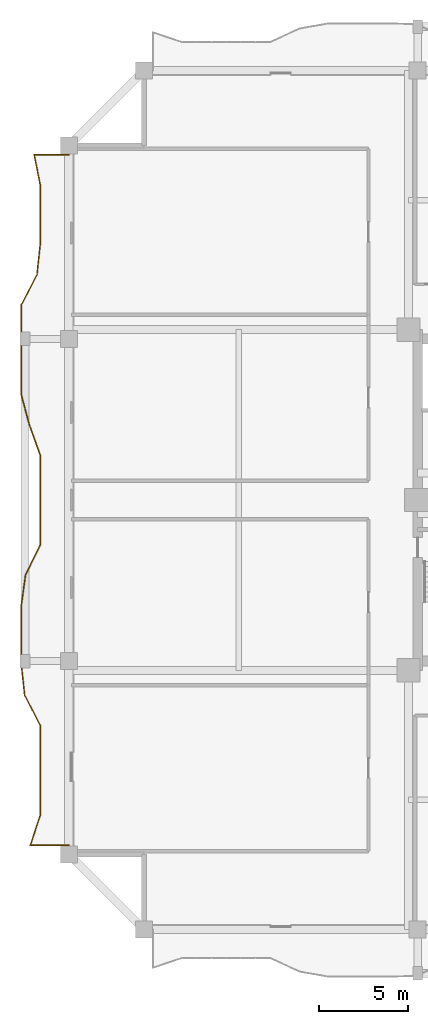
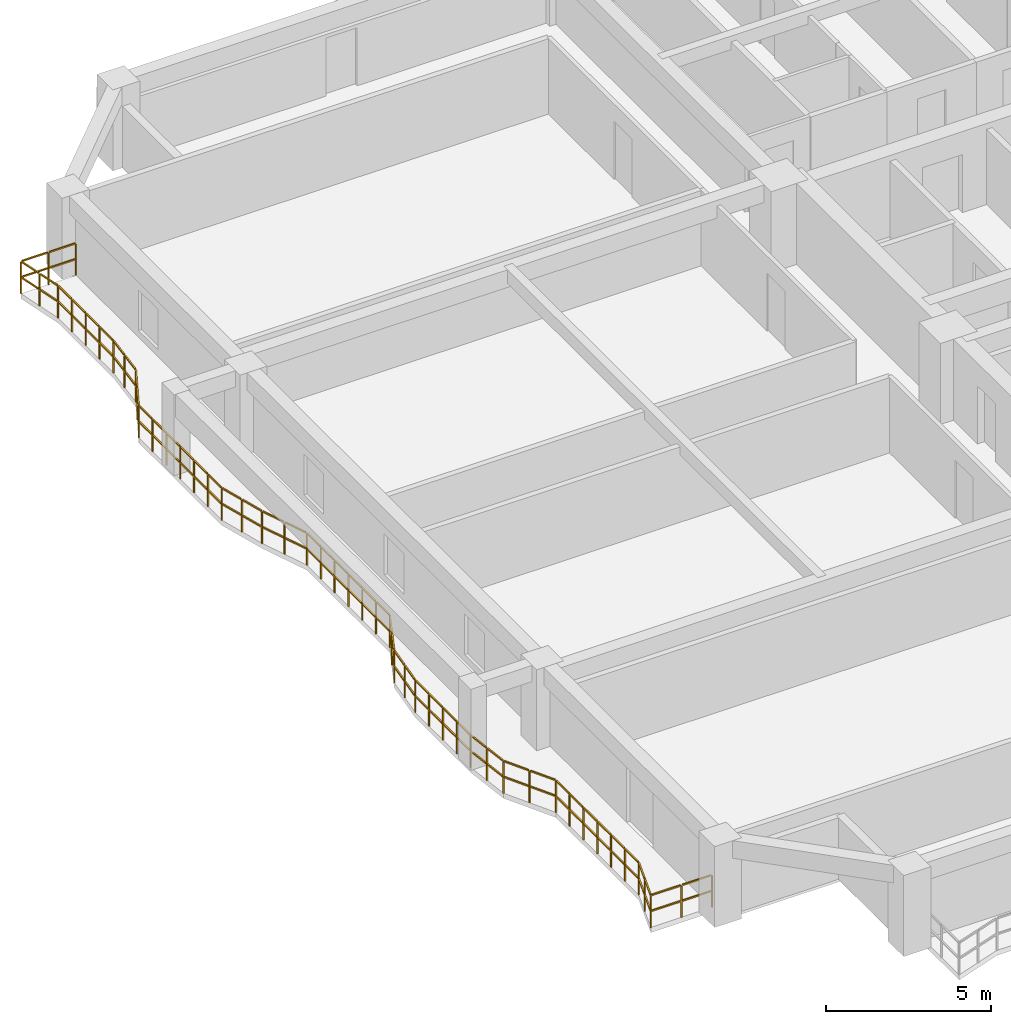
# One storey, part 9 of 12: 1 railing.
"""IFC4 building model written with IfcOpenShell, lengths in metres."""

from ifc_helpers import new_model, si_unit, direction, frame, origin, origin_2d, place, context, subcontext, project, spatial, rectangle, extrude, material, type_object, element, save


model = new_model("IFC4")

# Units and contexts
model_context = context("Model", 3, precision=1e-05, world=origin(), true_north=direction((0.0, 1.0)))
body_context = subcontext(model_context, "Body", "Model", "MODEL_VIEW")
ifc_project = project(units=[si_unit("LENGTHUNIT", "METRE"), si_unit("AREAUNIT", "SQUARE_METRE"), si_unit("VOLUMEUNIT", "CUBIC_METRE"), si_unit("PLANEANGLEUNIT", "RADIAN"), si_unit("MASSUNIT", "GRAM", prefix="KILO")], contexts=[model_context])

# Site, building, storey
site_placement = place(None, origin())
site = spatial("IfcSite", under=ifc_project, at=site_placement, CompositionType="ELEMENT")
building_placement = place(site_placement, origin())
building = spatial("IfcBuilding", under=site, at=building_placement, Name="Saelheon Loggia Tower", CompositionType="ELEMENT")
storey_placement = place(building_placement, frame((0.0, 0.0, 101.85009765625)))
storey = spatial("IfcBuildingStorey", under=building, at=storey_placement, Name="L32", CompositionType="ELEMENT", Elevation=101.85009765625)

# Railing
ifc_material = material(Name="Architectural Precast Concrete and Laminated Glass Guard", Category="concrete")
railing_type = type_object("IfcRailingType", Name="Guard_Loggia_RL_LOG", PredefinedType="BALUSTRADE", material=ifc_material)
railing_placement = place(storey_placement, frame((12.0, 46.300048828125, 0.0)))
element("IfcRailing", 1, at=railing_placement, inside=storey, type_object=railing_type, Name="L32 West Loggia Balustrade", PredefinedType="BALUSTRADE", context=body_context, shape_type="SweptSolid", body=[
    extrude(rectangle(XDim=0.048095703125, YDim=0.048095703125, at=origin_2d()), frame((-0.033203125, 0.0, 1.19580078125), z_axis=(-1.0, 0.0, 0.0), x_axis=(0.0, -1.0, 0.0)), (0.0, 0.0, 1.0), 0.900146484375),
    extrude(rectangle(XDim=0.048095703125, YDim=0.048095703125, at=origin_2d()), frame((-0.033203125, 0.0, 0.60986328125), z_axis=(-1.0, 0.0, 0.0), x_axis=(0.0, -1.0, 0.0)), (0.0, 0.0, 1.0), 0.900146484375),
    extrude(rectangle(XDim=0.048095703125, YDim=0.048095703125, at=origin_2d()), frame((-1.0, 0.0, 1.19580078125), z_axis=(-1.0, 0.0, 0.0), x_axis=(0.0, -1.0, 0.0)), (0.0, 0.0, 1.0), 0.900146484375),
    extrude(rectangle(XDim=0.048095703125, YDim=0.048095703125, at=origin_2d()), frame((-1.0, 0.0, 0.60986328125), z_axis=(-1.0, 0.0, 0.0), x_axis=(0.0, -1.0, 0.0)), (0.0, 0.0, 1.0), 0.900146484375),
    extrude(rectangle(XDim=0.048095703125, YDim=0.048095703125, at=origin_2d()), frame((-1.9267578125, -0.03271484375, 1.19580078125), z_axis=(0.194744119332, -0.980854080883, 0.0), x_axis=(0.980854080883, 0.194744119332, 0.0)), (0.0, 0.0, 1.0), 0.7890625),
    extrude(rectangle(XDim=0.048095703125, YDim=0.048095703125, at=origin_2d()), frame((-1.9267578125, -0.03271484375, 0.60986328125), z_axis=(0.194744119332, -0.980854080883, 0.0), x_axis=(0.980854080883, 0.194744119332, 0.0)), (0.0, 0.0, 1.0), 0.7890625),
    extrude(rectangle(XDim=0.048095703125, YDim=0.048095703125, at=origin_2d()), frame((-1.76025390625, -0.871826171875, 1.19580078125), z_axis=(0.194744119332, -0.980854080883, 0.0), x_axis=(0.980854080883, 0.194744119332, 0.0)), (0.0, 0.0, 1.0), 0.7890625),
    extrude(rectangle(XDim=0.048095703125, YDim=0.048095703125, at=origin_2d()), frame((-1.76025390625, -0.871826171875, 0.60986328125), z_axis=(0.194744119332, -0.980854080883, 0.0), x_axis=(0.980854080883, 0.194744119332, 0.0)), (0.0, 0.0, 1.0), 0.7890625),
    extrude(rectangle(XDim=0.048095703125, YDim=0.048095703125, at=origin_2d()), frame((-1.60009765625, -1.711669921875, 1.19580078125), z_axis=(0.0, -1.0, 0.0), x_axis=(1.0, 0.0, 0.0)), (0.0, 0.0, 1.0), 0.7724609375),
    extrude(rectangle(XDim=0.048095703125, YDim=0.048095703125, at=origin_2d()), frame((-1.60009765625, -1.711669921875, 0.60986328125), z_axis=(0.0, -1.0, 0.0), x_axis=(1.0, 0.0, 0.0)), (0.0, 0.0, 1.0), 0.7724609375),
    extrude(rectangle(XDim=0.048095703125, YDim=0.048095703125, at=origin_2d()), frame((-1.60009765625, -2.55078125, 1.19580078125), z_axis=(0.0, -1.0, 0.0), x_axis=(1.0, 0.0, 0.0)), (0.0, 0.0, 1.0), 0.7724609375),
    extrude(rectangle(XDim=0.048095703125, YDim=0.048095703125, at=origin_2d()), frame((-1.60009765625, -2.55078125, 0.60986328125), z_axis=(0.0, -1.0, 0.0), x_axis=(1.0, 0.0, 0.0)), (0.0, 0.0, 1.0), 0.7724609375),
    extrude(rectangle(XDim=0.048095703125, YDim=0.048095703125, at=origin_2d()), frame((-1.60009765625, -3.3896484375, 1.19580078125), z_axis=(0.0, -1.0, 0.0), x_axis=(1.0, 0.0, 0.0)), (0.0, 0.0, 1.0), 0.772705078125),
    extrude(rectangle(XDim=0.048095703125, YDim=0.048095703125, at=origin_2d()), frame((-1.60009765625, -3.3896484375, 0.60986328125), z_axis=(0.0, -1.0, 0.0), x_axis=(1.0, 0.0, 0.0)), (0.0, 0.0, 1.0), 0.772705078125),
    extrude(rectangle(XDim=0.048095703125, YDim=0.048095703125, at=origin_2d()), frame((-1.60009765625, -4.22900390625, 1.19580078125), z_axis=(0.0, -1.0, 0.0), x_axis=(1.0, 0.0, 0.0)), (0.0, 0.0, 1.0), 0.772705078125),
    extrude(rectangle(XDim=0.048095703125, YDim=0.048095703125, at=origin_2d()), frame((-1.60009765625, -4.22900390625, 0.60986328125), z_axis=(0.0, -1.0, 0.0), x_axis=(1.0, 0.0, 0.0)), (0.0, 0.0, 1.0), 0.772705078125),
    extrude(rectangle(XDim=0.048095703125, YDim=0.048095703125, at=origin_2d()), frame((-1.603759765625, -5.06787109375, 1.19580078125), z_axis=(-0.10731955736, -0.994224578558, 0.0), x_axis=(0.994224578558, -0.10731955736, 0.0)), (0.0, 0.0, 1.0), 0.777587890625),
    extrude(rectangle(XDim=0.048095703125, YDim=0.048095703125, at=origin_2d()), frame((-1.603759765625, -5.06787109375, 0.60986328125), z_axis=(-0.10731955736, -0.994224578558, 0.0), x_axis=(0.994224578558, -0.10731955736, 0.0)), (0.0, 0.0, 1.0), 0.777587890625),
    extrude(rectangle(XDim=0.048095703125, YDim=0.048095703125, at=origin_2d()), frame((-1.6943359375, -5.906982421875, 1.19580078125), z_axis=(-0.10731955736, -0.994224578558, 0.0), x_axis=(0.994224578558, -0.10731955736, 0.0)), (0.0, 0.0, 1.0), 0.777587890625),
    extrude(rectangle(XDim=0.048095703125, YDim=0.048095703125, at=origin_2d()), frame((-1.6943359375, -5.906982421875, 0.60986328125), z_axis=(-0.10731955736, -0.994224578558, 0.0), x_axis=(0.994224578558, -0.10731955736, 0.0)), (0.0, 0.0, 1.0), 0.777587890625),
    extrude(rectangle(XDim=0.048095703125, YDim=0.048095703125, at=origin_2d()), frame((-1.796630859375, -6.74267578125, 1.19580078125), z_axis=(-0.459675957683, -0.88808671532, 0.0), x_axis=(0.88808671532, -0.459675957683, 0.0)), (0.0, 0.0, 1.0), 0.87841796875),
    extrude(rectangle(XDim=0.048095703125, YDim=0.048095703125, at=origin_2d()), frame((-1.796630859375, -6.74267578125, 0.60986328125), z_axis=(-0.459675957683, -0.88808671532, 0.0), x_axis=(0.88808671532, -0.459675957683, 0.0)), (0.0, 0.0, 1.0), 0.87841796875),
    extrude(rectangle(XDim=0.048095703125, YDim=0.048095703125, at=origin_2d()), frame((-2.23095703125, -7.581787109375, 1.19580078125), z_axis=(-0.459675957683, -0.88808671532, 0.0), x_axis=(0.88808671532, -0.459675957683, 0.0)), (0.0, 0.0, 1.0), 0.87841796875),
    extrude(rectangle(XDim=0.048095703125, YDim=0.048095703125, at=origin_2d()), frame((-2.23095703125, -7.581787109375, 0.60986328125), z_axis=(-0.459675957683, -0.88808671532, 0.0), x_axis=(0.88808671532, -0.459675957683, 0.0)), (0.0, 0.0, 1.0), 0.87841796875),
    extrude(rectangle(XDim=0.048095703125, YDim=0.048095703125, at=origin_2d()), frame((-2.64990234375, -8.424560546875, 1.19580078125), z_axis=(0.0, -1.0, 0.0), x_axis=(1.0, 0.0, 0.0)), (0.0, 0.0, 1.0), 0.772705078125),
    extrude(rectangle(XDim=0.048095703125, YDim=0.048095703125, at=origin_2d()), frame((-2.64990234375, -8.424560546875, 0.60986328125), z_axis=(0.0, -1.0, 0.0), x_axis=(1.0, 0.0, 0.0)), (0.0, 0.0, 1.0), 0.772705078125),
    extrude(rectangle(XDim=0.048095703125, YDim=0.048095703125, at=origin_2d()), frame((-2.64990234375, -9.263671875, 1.19580078125), z_axis=(0.0, -1.0, 0.0), x_axis=(1.0, 0.0, 0.0)), (0.0, 0.0, 1.0), 0.772705078125),
    extrude(rectangle(XDim=0.048095703125, YDim=0.048095703125, at=origin_2d()), frame((-2.64990234375, -9.263671875, 0.60986328125), z_axis=(0.0, -1.0, 0.0), x_axis=(1.0, 0.0, 0.0)), (0.0, 0.0, 1.0), 0.772705078125),
    extrude(rectangle(XDim=0.048095703125, YDim=0.048095703125, at=origin_2d()), frame((-2.64990234375, -10.102783203125, 1.19580078125), z_axis=(0.0, -1.0, 0.0), x_axis=(1.0, 0.0, 0.0)), (0.0, 0.0, 1.0), 0.772705078125),
    extrude(rectangle(XDim=0.048095703125, YDim=0.048095703125, at=origin_2d()), frame((-2.64990234375, -10.102783203125, 0.60986328125), z_axis=(0.0, -1.0, 0.0), x_axis=(1.0, 0.0, 0.0)), (0.0, 0.0, 1.0), 0.772705078125),
    extrude(rectangle(XDim=0.048095703125, YDim=0.048095703125, at=origin_2d()), frame((-2.64990234375, -10.94189453125, 1.19580078125), z_axis=(0.0, -1.0, 0.0), x_axis=(1.0, 0.0, 0.0)), (0.0, 0.0, 1.0), 0.772705078125),
    extrude(rectangle(XDim=0.048095703125, YDim=0.048095703125, at=origin_2d()), frame((-2.64990234375, -10.94189453125, 0.60986328125), z_axis=(0.0, -1.0, 0.0), x_axis=(1.0, 0.0, 0.0)), (0.0, 0.0, 1.0), 0.772705078125),
    extrude(rectangle(XDim=0.048095703125, YDim=0.048095703125, at=origin_2d()), frame((-2.64990234375, -11.781005859375, 1.19580078125), z_axis=(0.0, -1.0, 0.0), x_axis=(1.0, 0.0, 0.0)), (0.0, 0.0, 1.0), 0.772705078125),
    extrude(rectangle(XDim=0.048095703125, YDim=0.048095703125, at=origin_2d()), frame((-2.64990234375, -11.781005859375, 0.60986328125), z_axis=(0.0, -1.0, 0.0), x_axis=(1.0, 0.0, 0.0)), (0.0, 0.0, 1.0), 0.772705078125),
    extrude(rectangle(XDim=0.048095703125, YDim=0.048095703125, at=origin_2d()), frame((-2.64990234375, -12.620361328125, 1.19580078125), z_axis=(0.0, -1.0, 0.0), x_axis=(1.0, 0.0, 0.0)), (0.0, 0.0, 1.0), 0.772705078125),
    extrude(rectangle(XDim=0.048095703125, YDim=0.048095703125, at=origin_2d()), frame((-2.64990234375, -12.620361328125, 0.60986328125), z_axis=(0.0, -1.0, 0.0), x_axis=(1.0, 0.0, 0.0)), (0.0, 0.0, 1.0), 0.772705078125),
    extrude(rectangle(XDim=0.048095703125, YDim=0.048095703125, at=origin_2d()), frame((-2.641357421875, -13.45849609375, 1.19580078125), z_axis=(0.257951367735, -0.966157902148, 0.0), x_axis=(0.966157902148, 0.257951367735, 0.0)), (0.0, 0.0, 1.0), 0.802001953125),
    extrude(rectangle(XDim=0.048095703125, YDim=0.048095703125, at=origin_2d()), frame((-2.641357421875, -13.45849609375, 0.60986328125), z_axis=(0.257951367735, -0.966157902148, 0.0), x_axis=(0.966157902148, 0.257951367735, 0.0)), (0.0, 0.0, 1.0), 0.802001953125),
    extrude(rectangle(XDim=0.048095703125, YDim=0.048095703125, at=origin_2d()), frame((-2.417236328125, -14.29736328125, 1.19580078125), z_axis=(0.257951367735, -0.966157902148, 0.0), x_axis=(0.966157902148, 0.257951367735, 0.0)), (0.0, 0.0, 1.0), 0.802001953125),
    extrude(rectangle(XDim=0.048095703125, YDim=0.048095703125, at=origin_2d()), frame((-2.417236328125, -14.29736328125, 0.60986328125), z_axis=(0.257951367735, -0.966157902148, 0.0), x_axis=(0.966157902148, 0.257951367735, 0.0)), (0.0, 0.0, 1.0), 0.802001953125),
    extrude(rectangle(XDim=0.048095703125, YDim=0.048095703125, at=origin_2d()), frame((-2.190673828125, -15.135498046875, 1.19580078125), z_axis=(0.337507079307, -0.941322989955, 0.0), x_axis=(0.941322989955, 0.337507079307, 0.0)), (0.0, 0.0, 1.0), 0.8251953125),
    extrude(rectangle(XDim=0.048095703125, YDim=0.048095703125, at=origin_2d()), frame((-2.190673828125, -15.135498046875, 0.60986328125), z_axis=(0.337507079307, -0.941322989955, 0.0), x_axis=(0.941322989955, 0.337507079307, 0.0)), (0.0, 0.0, 1.0), 0.8251953125),
    extrude(rectangle(XDim=0.048095703125, YDim=0.048095703125, at=origin_2d()), frame((-1.889892578125, -15.974853515625, 1.19580078125), z_axis=(0.337507079307, -0.941322989955, 0.0), x_axis=(0.941322989955, 0.337507079307, 0.0)), (0.0, 0.0, 1.0), 0.8251953125),
    extrude(rectangle(XDim=0.048095703125, YDim=0.048095703125, at=origin_2d()), frame((-1.889892578125, -15.974853515625, 0.60986328125), z_axis=(0.337507079307, -0.941322989955, 0.0), x_axis=(0.941322989955, 0.337507079307, 0.0)), (0.0, 0.0, 1.0), 0.8251953125),
    extrude(rectangle(XDim=0.048095703125, YDim=0.048095703125, at=origin_2d()), frame((-1.60009765625, -16.81591796875, 1.19580078125), z_axis=(0.0, -1.0, 0.0), x_axis=(1.0, 0.0, 0.0)), (0.0, 0.0, 1.0), 0.772705078125),
    extrude(rectangle(XDim=0.048095703125, YDim=0.048095703125, at=origin_2d()), frame((-1.60009765625, -16.81591796875, 0.60986328125), z_axis=(0.0, -1.0, 0.0), x_axis=(1.0, 0.0, 0.0)), (0.0, 0.0, 1.0), 0.772705078125),
    extrude(rectangle(XDim=0.048095703125, YDim=0.048095703125, at=origin_2d()), frame((-1.60009765625, -17.655029296875, 1.19580078125), z_axis=(0.0, -1.0, 0.0), x_axis=(1.0, 0.0, 0.0)), (0.0, 0.0, 1.0), 0.772705078125),
    extrude(rectangle(XDim=0.048095703125, YDim=0.048095703125, at=origin_2d()), frame((-1.60009765625, -17.655029296875, 0.60986328125), z_axis=(0.0, -1.0, 0.0), x_axis=(1.0, 0.0, 0.0)), (0.0, 0.0, 1.0), 0.772705078125),
    extrude(rectangle(XDim=0.048095703125, YDim=0.048095703125, at=origin_2d()), frame((-1.60009765625, -18.494140625, 1.19580078125), z_axis=(0.0, -1.0, 0.0), x_axis=(1.0, 0.0, 0.0)), (0.0, 0.0, 1.0), 0.772705078125),
    extrude(rectangle(XDim=0.048095703125, YDim=0.048095703125, at=origin_2d()), frame((-1.60009765625, -18.494140625, 0.60986328125), z_axis=(0.0, -1.0, 0.0), x_axis=(1.0, 0.0, 0.0)), (0.0, 0.0, 1.0), 0.772705078125),
    extrude(rectangle(XDim=0.048095703125, YDim=0.048095703125, at=origin_2d()), frame((-1.60009765625, -19.333251953125, 1.19580078125), z_axis=(0.0, -1.0, 0.0), x_axis=(1.0, 0.0, 0.0)), (0.0, 0.0, 1.0), 0.772705078125),
    extrude(rectangle(XDim=0.048095703125, YDim=0.048095703125, at=origin_2d()), frame((-1.60009765625, -19.333251953125, 0.60986328125), z_axis=(0.0, -1.0, 0.0), x_axis=(1.0, 0.0, 0.0)), (0.0, 0.0, 1.0), 0.772705078125),
    extrude(rectangle(XDim=0.048095703125, YDim=0.048095703125, at=origin_2d()), frame((-1.60009765625, -20.17236328125, 1.19580078125), z_axis=(0.0, -1.0, 0.0), x_axis=(1.0, 0.0, 0.0)), (0.0, 0.0, 1.0), 0.772705078125),
    extrude(rectangle(XDim=0.048095703125, YDim=0.048095703125, at=origin_2d()), frame((-1.60009765625, -20.17236328125, 0.60986328125), z_axis=(0.0, -1.0, 0.0), x_axis=(1.0, 0.0, 0.0)), (0.0, 0.0, 1.0), 0.772705078125),
    extrude(rectangle(XDim=0.048095703125, YDim=0.048095703125, at=origin_2d()), frame((-1.60009765625, -21.011474609375, 1.19580078125), z_axis=(0.0, -1.0, 0.0), x_axis=(1.0, 0.0, 0.0)), (0.0, 0.0, 1.0), 0.772705078125),
    extrude(rectangle(XDim=0.048095703125, YDim=0.048095703125, at=origin_2d()), frame((-1.60009765625, -21.011474609375, 0.60986328125), z_axis=(0.0, -1.0, 0.0), x_axis=(1.0, 0.0, 0.0)), (0.0, 0.0, 1.0), 0.772705078125),
    extrude(rectangle(XDim=0.048095703125, YDim=0.048095703125, at=origin_2d()), frame((-1.61474609375, -21.84716796875, 1.19580078125), z_axis=(-0.437931485797, -0.89900835021, 0.0), x_axis=(0.89900835021, -0.437931485797, 0.0)), (0.0, 0.0, 1.0), 0.866943359375),
    extrude(rectangle(XDim=0.048095703125, YDim=0.048095703125, at=origin_2d()), frame((-1.61474609375, -21.84716796875, 0.60986328125), z_axis=(-0.437931485797, -0.89900835021, 0.0), x_axis=(0.89900835021, -0.437931485797, 0.0)), (0.0, 0.0, 1.0), 0.866943359375),
    extrude(rectangle(XDim=0.048095703125, YDim=0.048095703125, at=origin_2d()), frame((-2.0234375, -22.6865234375, 1.19580078125), z_axis=(-0.437931485797, -0.89900835021, 0.0), x_axis=(0.89900835021, -0.437931485797, 0.0)), (0.0, 0.0, 1.0), 0.866943359375),
    extrude(rectangle(XDim=0.048095703125, YDim=0.048095703125, at=origin_2d()), frame((-2.0234375, -22.6865234375, 0.60986328125), z_axis=(-0.437931485797, -0.89900835021, 0.0), x_axis=(0.89900835021, -0.437931485797, 0.0)), (0.0, 0.0, 1.0), 0.866943359375),
    extrude(rectangle(XDim=0.048095703125, YDim=0.048095703125, at=origin_2d()), frame((-2.42236328125, -23.52880859375, 1.19580078125), z_axis=(-0.13706168357, -0.990562514381, 0.0), x_axis=(0.990562514381, -0.13706168357, 0.0)), (0.0, 0.0, 1.0), 0.780517578125),
    extrude(rectangle(XDim=0.048095703125, YDim=0.048095703125, at=origin_2d()), frame((-2.42236328125, -23.52880859375, 0.60986328125), z_axis=(-0.13706168357, -0.990562514381, 0.0), x_axis=(0.990562514381, -0.13706168357, 0.0)), (0.0, 0.0, 1.0), 0.780517578125),
    extrude(rectangle(XDim=0.048095703125, YDim=0.048095703125, at=origin_2d()), frame((-2.538330078125, -24.36767578125, 1.19580078125), z_axis=(-0.13706168357, -0.990562514381, 0.0), x_axis=(0.990562514381, -0.13706168357, 0.0)), (0.0, 0.0, 1.0), 0.780517578125),
    extrude(rectangle(XDim=0.048095703125, YDim=0.048095703125, at=origin_2d()), frame((-2.538330078125, -24.36767578125, 0.60986328125), z_axis=(-0.13706168357, -0.990562514381, 0.0), x_axis=(0.990562514381, -0.13706168357, 0.0)), (0.0, 0.0, 1.0), 0.780517578125),
    extrude(rectangle(XDim=0.048095703125, YDim=0.048095703125, at=origin_2d()), frame((-2.64990234375, -25.20703125, 1.19580078125), z_axis=(0.0, -1.0, 0.0), x_axis=(1.0, 0.0, 0.0)), (0.0, 0.0, 1.0), 0.772705078125),
    extrude(rectangle(XDim=0.048095703125, YDim=0.048095703125, at=origin_2d()), frame((-2.64990234375, -25.20703125, 0.60986328125), z_axis=(0.0, -1.0, 0.0), x_axis=(1.0, 0.0, 0.0)), (0.0, 0.0, 1.0), 0.772705078125),
    extrude(rectangle(XDim=0.048095703125, YDim=0.048095703125, at=origin_2d()), frame((-2.64990234375, -26.04638671875, 1.19580078125), z_axis=(0.0, -1.0, 0.0), x_axis=(1.0, 0.0, 0.0)), (0.0, 0.0, 1.0), 0.772705078125),
    extrude(rectangle(XDim=0.048095703125, YDim=0.048095703125, at=origin_2d()), frame((-2.64990234375, -26.04638671875, 0.60986328125), z_axis=(0.0, -1.0, 0.0), x_axis=(1.0, 0.0, 0.0)), (0.0, 0.0, 1.0), 0.772705078125),
    extrude(rectangle(XDim=0.048095703125, YDim=0.048095703125, at=origin_2d()), frame((-2.64990234375, -26.885498046875, 1.19580078125), z_axis=(0.0, -1.0, 0.0), x_axis=(1.0, 0.0, 0.0)), (0.0, 0.0, 1.0), 0.772705078125),
    extrude(rectangle(XDim=0.048095703125, YDim=0.048095703125, at=origin_2d()), frame((-2.64990234375, -26.885498046875, 0.60986328125), z_axis=(0.0, -1.0, 0.0), x_axis=(1.0, 0.0, 0.0)), (0.0, 0.0, 1.0), 0.772705078125),
    extrude(rectangle(XDim=0.048095703125, YDim=0.048095703125, at=origin_2d()), frame((-2.64990234375, -27.724609375, 1.19580078125), z_axis=(0.0, -1.0, 0.0), x_axis=(1.0, 0.0, 0.0)), (0.0, 0.0, 1.0), 0.772705078125),
    extrude(rectangle(XDim=0.048095703125, YDim=0.048095703125, at=origin_2d()), frame((-2.64990234375, -27.724609375, 0.60986328125), z_axis=(0.0, -1.0, 0.0), x_axis=(1.0, 0.0, 0.0)), (0.0, 0.0, 1.0), 0.772705078125),
    extrude(rectangle(XDim=0.048095703125, YDim=0.048095703125, at=origin_2d()), frame((-2.646240234375, -28.5634765625, 1.19580078125), z_axis=(0.107462523714, -0.994209135945, 0.0), x_axis=(0.994209135945, 0.107462523714, 0.0)), (0.0, 0.0, 1.0), 0.777587890625),
    extrude(rectangle(XDim=0.048095703125, YDim=0.048095703125, at=origin_2d()), frame((-2.646240234375, -28.5634765625, 0.60986328125), z_axis=(0.107462523714, -0.994209135945, 0.0), x_axis=(0.994209135945, 0.107462523714, 0.0)), (0.0, 0.0, 1.0), 0.777587890625),
    extrude(rectangle(XDim=0.048095703125, YDim=0.048095703125, at=origin_2d()), frame((-2.5556640625, -29.402587890625, 1.19580078125), z_axis=(0.107462523714, -0.994209135945, 0.0), x_axis=(0.994209135945, 0.107462523714, 0.0)), (0.0, 0.0, 1.0), 0.777587890625),
    extrude(rectangle(XDim=0.048095703125, YDim=0.048095703125, at=origin_2d()), frame((-2.5556640625, -29.402587890625, 0.60986328125), z_axis=(0.107462523714, -0.994209135945, 0.0), x_axis=(0.994209135945, 0.107462523714, 0.0)), (0.0, 0.0, 1.0), 0.777587890625),
    extrude(rectangle(XDim=0.048095703125, YDim=0.048095703125, at=origin_2d()), frame((-2.453125, -30.23828125, 1.19580078125), z_axis=(0.459574052733, -0.888139454171, 0.0), x_axis=(0.888139454171, 0.459574052733, 0.0)), (0.0, 0.0, 1.0), 0.87841796875),
    extrude(rectangle(XDim=0.048095703125, YDim=0.048095703125, at=origin_2d()), frame((-2.453125, -30.23828125, 0.60986328125), z_axis=(0.459574052733, -0.888139454171, 0.0), x_axis=(0.888139454171, 0.459574052733, 0.0)), (0.0, 0.0, 1.0), 0.87841796875),
    extrude(rectangle(XDim=0.048095703125, YDim=0.048095703125, at=origin_2d()), frame((-2.01904296875, -31.077392578125, 1.19580078125), z_axis=(0.459574052733, -0.888139454171, 0.0), x_axis=(0.888139454171, 0.459574052733, 0.0)), (0.0, 0.0, 1.0), 0.87841796875),
    extrude(rectangle(XDim=0.048095703125, YDim=0.048095703125, at=origin_2d()), frame((-2.01904296875, -31.077392578125, 0.60986328125), z_axis=(0.459574052733, -0.888139454171, 0.0), x_axis=(0.888139454171, 0.459574052733, 0.0)), (0.0, 0.0, 1.0), 0.87841796875),
    extrude(rectangle(XDim=0.048095703125, YDim=0.048095703125, at=origin_2d()), frame((-1.60009765625, -31.920166015625, 1.19580078125), z_axis=(0.0, -1.0, 0.0), x_axis=(1.0, 0.0, 0.0)), (0.0, 0.0, 1.0), 0.772705078125),
    extrude(rectangle(XDim=0.048095703125, YDim=0.048095703125, at=origin_2d()), frame((-1.60009765625, -31.920166015625, 0.60986328125), z_axis=(0.0, -1.0, 0.0), x_axis=(1.0, 0.0, 0.0)), (0.0, 0.0, 1.0), 0.772705078125),
    extrude(rectangle(XDim=0.048095703125, YDim=0.048095703125, at=origin_2d()), frame((-1.60009765625, -32.75927734375, 1.19580078125), z_axis=(0.0, -1.0, 0.0), x_axis=(1.0, 0.0, 0.0)), (0.0, 0.0, 1.0), 0.772705078125),
    extrude(rectangle(XDim=0.048095703125, YDim=0.048095703125, at=origin_2d()), frame((-1.60009765625, -32.75927734375, 0.60986328125), z_axis=(0.0, -1.0, 0.0), x_axis=(1.0, 0.0, 0.0)), (0.0, 0.0, 1.0), 0.772705078125),
    extrude(rectangle(XDim=0.048095703125, YDim=0.048095703125, at=origin_2d()), frame((-1.60009765625, -33.598388671875, 1.19580078125), z_axis=(0.0, -1.0, 0.0), x_axis=(1.0, 0.0, 0.0)), (0.0, 0.0, 1.0), 0.772705078125),
    extrude(rectangle(XDim=0.048095703125, YDim=0.048095703125, at=origin_2d()), frame((-1.60009765625, -33.598388671875, 0.60986328125), z_axis=(0.0, -1.0, 0.0), x_axis=(1.0, 0.0, 0.0)), (0.0, 0.0, 1.0), 0.772705078125),
    extrude(rectangle(XDim=0.048095703125, YDim=0.048095703125, at=origin_2d()), frame((-1.60009765625, -34.437744140625, 1.19580078125), z_axis=(0.0, -1.0, 0.0), x_axis=(1.0, 0.0, 0.0)), (0.0, 0.0, 1.0), 0.772705078125),
    extrude(rectangle(XDim=0.048095703125, YDim=0.048095703125, at=origin_2d()), frame((-1.60009765625, -34.437744140625, 0.60986328125), z_axis=(0.0, -1.0, 0.0), x_axis=(1.0, 0.0, 0.0)), (0.0, 0.0, 1.0), 0.772705078125),
    extrude(rectangle(XDim=0.048095703125, YDim=0.048095703125, at=origin_2d()), frame((-1.60009765625, -35.27685546875, 1.19580078125), z_axis=(0.0, -1.0, 0.0), x_axis=(1.0, 0.0, 0.0)), (0.0, 0.0, 1.0), 0.7724609375),
    extrude(rectangle(XDim=0.048095703125, YDim=0.048095703125, at=origin_2d()), frame((-1.60009765625, -35.27685546875, 0.60986328125), z_axis=(0.0, -1.0, 0.0), x_axis=(1.0, 0.0, 0.0)), (0.0, 0.0, 1.0), 0.7724609375),
    extrude(rectangle(XDim=0.048095703125, YDim=0.048095703125, at=origin_2d()), frame((-1.60009765625, -36.115966796875, 1.19580078125), z_axis=(0.0, -1.0, 0.0), x_axis=(1.0, 0.0, 0.0)), (0.0, 0.0, 1.0), 0.7724609375),
    extrude(rectangle(XDim=0.048095703125, YDim=0.048095703125, at=origin_2d()), frame((-1.60009765625, -36.115966796875, 0.60986328125), z_axis=(0.0, -1.0, 0.0), x_axis=(1.0, 0.0, 0.0)), (0.0, 0.0, 1.0), 0.7724609375),
    extrude(rectangle(XDim=0.048095703125, YDim=0.048095703125, at=origin_2d()), frame((-1.6103515625, -36.953125, 1.19580078125), z_axis=(-0.311288759302, -0.950315373091, 0.0), x_axis=(0.950315373091, -0.311288759302, 0.0)), (0.0, 0.0, 1.0), 0.816650390625),
    extrude(rectangle(XDim=0.048095703125, YDim=0.048095703125, at=origin_2d()), frame((-1.6103515625, -36.953125, 0.60986328125), z_axis=(-0.311288759302, -0.950315373091, 0.0), x_axis=(0.950315373091, -0.311288759302, 0.0)), (0.0, 0.0, 1.0), 0.816650390625),
    extrude(rectangle(XDim=0.048095703125, YDim=0.048095703125, at=origin_2d()), frame((-1.88525390625, -37.79248046875, 1.19580078125), z_axis=(-0.311288759302, -0.950315373091, 0.0), x_axis=(0.950315373091, -0.311288759302, 0.0)), (0.0, 0.0, 1.0), 0.816650390625),
    extrude(rectangle(XDim=0.048095703125, YDim=0.048095703125, at=origin_2d()), frame((-1.88525390625, -37.79248046875, 0.60986328125), z_axis=(-0.311288759302, -0.950315373091, 0.0), x_axis=(0.950315373091, -0.311288759302, 0.0)), (0.0, 0.0, 1.0), 0.816650390625),
    extrude(rectangle(XDim=0.048095703125, YDim=0.048095703125, at=origin_2d()), frame((-2.11669921875, -38.60009765625, 1.19580078125), z_axis=(1.0, 0.0, 0.0), x_axis=(0.0, 1.0, 0.0)), (0.0, 0.0, 1.0), 1.008544921875),
    extrude(rectangle(XDim=0.048095703125, YDim=0.048095703125, at=origin_2d()), frame((-2.11669921875, -38.60009765625, 0.60986328125), z_axis=(1.0, 0.0, 0.0), x_axis=(0.0, 1.0, 0.0)), (0.0, 0.0, 1.0), 1.008544921875),
    extrude(rectangle(XDim=0.048095703125, YDim=0.048095703125, at=origin_2d()), frame((-1.041748046875, -38.60009765625, 1.19580078125), z_axis=(1.0, 0.0, 0.0), x_axis=(0.0, 1.0, 0.0)), (0.0, 0.0, 1.0), 1.008544921875),
    extrude(rectangle(XDim=0.048095703125, YDim=0.048095703125, at=origin_2d()), frame((-1.041748046875, -38.60009765625, 0.60986328125), z_axis=(1.0, 0.0, 0.0), x_axis=(0.0, 1.0, 0.0)), (0.0, 0.0, 1.0), 1.008544921875),
    extrude(rectangle(XDim=0.0419921875, YDim=0.0419921875, at=origin_2d()), origin(), (0.0, 0.0, 1.0), 1.16796875),
    extrude(rectangle(XDim=0.0419921875, YDim=0.0419921875, at=origin_2d()), frame((-0.966796875, 0.0, 0.0)), (0.0, 0.0, 1.0), 1.16796875),
    extrude(rectangle(XDim=0.0419921875, YDim=0.0419921875, at=origin_2d()), frame((-1.933349609375, 0.0, 0.0)), (0.0, 0.0, 1.0), 1.16796875),
    extrude(rectangle(XDim=0.0419921875, YDim=0.0419921875, at=origin_2d()), frame((-1.7666015625, -0.83935546875, 0.0)), (0.0, 0.0, 1.0), 1.16796875),
    extrude(rectangle(XDim=0.0419921875, YDim=0.0419921875, at=origin_2d()), frame((-1.60009765625, -1.678466796875, 0.0)), (0.0, 0.0, 1.0), 1.16796875),
    extrude(rectangle(XDim=0.0419921875, YDim=0.0419921875, at=origin_2d()), frame((-1.60009765625, -2.517578125, 0.0)), (0.0, 0.0, 1.0), 1.16796875),
    extrude(rectangle(XDim=0.0419921875, YDim=0.0419921875, at=origin_2d()), frame((-1.60009765625, -3.3564453125, 0.0)), (0.0, 0.0, 1.0), 1.16796875),
    extrude(rectangle(XDim=0.0419921875, YDim=0.0419921875, at=origin_2d()), frame((-1.60009765625, -4.19580078125, 0.0)), (0.0, 0.0, 1.0), 1.16796875),
    extrude(rectangle(XDim=0.0419921875, YDim=0.0419921875, at=origin_2d()), frame((-1.60009765625, -5.034912109375, 0.0)), (0.0, 0.0, 1.0), 1.16796875),
    extrude(rectangle(XDim=0.0419921875, YDim=0.0419921875, at=origin_2d()), frame((-1.690673828125, -5.8740234375, 0.0)), (0.0, 0.0, 1.0), 1.16796875),
    extrude(rectangle(XDim=0.0419921875, YDim=0.0419921875, at=origin_2d()), frame((-1.78125, -6.713134765625, 0.0)), (0.0, 0.0, 1.0), 1.16796875),
    extrude(rectangle(XDim=0.0419921875, YDim=0.0419921875, at=origin_2d()), frame((-2.215576171875, -7.55224609375, 0.0)), (0.0, 0.0, 1.0), 1.16796875),
    extrude(rectangle(XDim=0.0419921875, YDim=0.0419921875, at=origin_2d()), frame((-2.64990234375, -8.391357421875, 0.0)), (0.0, 0.0, 1.0), 1.16796875),
    extrude(rectangle(XDim=0.0419921875, YDim=0.0419921875, at=origin_2d()), frame((-2.64990234375, -9.23046875, 0.0)), (0.0, 0.0, 1.0), 1.16796875),
    extrude(rectangle(XDim=0.0419921875, YDim=0.0419921875, at=origin_2d()), frame((-2.64990234375, -10.069580078125, 0.0)), (0.0, 0.0, 1.0), 1.16796875),
    extrude(rectangle(XDim=0.0419921875, YDim=0.0419921875, at=origin_2d()), frame((-2.64990234375, -10.90869140625, 0.0)), (0.0, 0.0, 1.0), 1.16796875),
    extrude(rectangle(XDim=0.0419921875, YDim=0.0419921875, at=origin_2d()), frame((-2.64990234375, -11.747802734375, 0.0)), (0.0, 0.0, 1.0), 1.16796875),
    extrude(rectangle(XDim=0.0419921875, YDim=0.0419921875, at=origin_2d()), frame((-2.64990234375, -12.5869140625, 0.0)), (0.0, 0.0, 1.0), 1.16796875),
    extrude(rectangle(XDim=0.0419921875, YDim=0.0419921875, at=origin_2d()), frame((-2.64990234375, -13.42626953125, 0.0)), (0.0, 0.0, 1.0), 1.16796875),
    extrude(rectangle(XDim=0.0419921875, YDim=0.0419921875, at=origin_2d()), frame((-2.42578125, -14.26513671875, 0.0)), (0.0, 0.0, 1.0), 1.16796875),
    extrude(rectangle(XDim=0.0419921875, YDim=0.0419921875, at=origin_2d()), frame((-2.201904296875, -15.104248046875, 0.0)), (0.0, 0.0, 1.0), 1.16796875),
    extrude(rectangle(XDim=0.0419921875, YDim=0.0419921875, at=origin_2d()), frame((-1.90087890625, -15.943359375, 0.0)), (0.0, 0.0, 1.0), 1.16796875),
    extrude(rectangle(XDim=0.0419921875, YDim=0.0419921875, at=origin_2d()), frame((-1.60009765625, -16.78271484375, 0.0)), (0.0, 0.0, 1.0), 1.16796875),
    extrude(rectangle(XDim=0.0419921875, YDim=0.0419921875, at=origin_2d()), frame((-1.60009765625, -17.621826171875, 0.0)), (0.0, 0.0, 1.0), 1.16796875),
    extrude(rectangle(XDim=0.0419921875, YDim=0.0419921875, at=origin_2d()), frame((-1.60009765625, -18.4609375, 0.0)), (0.0, 0.0, 1.0), 1.16796875),
    extrude(rectangle(XDim=0.0419921875, YDim=0.0419921875, at=origin_2d()), frame((-1.60009765625, -19.300048828125, 0.0)), (0.0, 0.0, 1.0), 1.16796875),
    extrude(rectangle(XDim=0.0419921875, YDim=0.0419921875, at=origin_2d()), frame((-1.60009765625, -20.13916015625, 0.0)), (0.0, 0.0, 1.0), 1.16796875),
    extrude(rectangle(XDim=0.0419921875, YDim=0.0419921875, at=origin_2d()), frame((-1.60009765625, -20.978271484375, 0.0)), (0.0, 0.0, 1.0), 1.16796875),
    extrude(rectangle(XDim=0.0419921875, YDim=0.0419921875, at=origin_2d()), frame((-1.60009765625, -21.8173828125, 0.0)), (0.0, 0.0, 1.0), 1.16796875),
    extrude(rectangle(XDim=0.0419921875, YDim=0.0419921875, at=origin_2d()), frame((-2.0087890625, -22.65673828125, 0.0)), (0.0, 0.0, 1.0), 1.16796875),
    extrude(rectangle(XDim=0.0419921875, YDim=0.0419921875, at=origin_2d()), frame((-2.417724609375, -23.495849609375, 0.0)), (0.0, 0.0, 1.0), 1.16796875),
    extrude(rectangle(XDim=0.0419921875, YDim=0.0419921875, at=origin_2d()), frame((-2.53369140625, -24.3349609375, 0.0)), (0.0, 0.0, 1.0), 1.16796875),
    extrude(rectangle(XDim=0.0419921875, YDim=0.0419921875, at=origin_2d()), frame((-2.64990234375, -25.173828125, 0.0)), (0.0, 0.0, 1.0), 1.16796875),
    extrude(rectangle(XDim=0.0419921875, YDim=0.0419921875, at=origin_2d()), frame((-2.64990234375, -26.01318359375, 0.0)), (0.0, 0.0, 1.0), 1.16796875),
    extrude(rectangle(XDim=0.0419921875, YDim=0.0419921875, at=origin_2d()), frame((-2.64990234375, -26.852294921875, 0.0)), (0.0, 0.0, 1.0), 1.16796875),
    extrude(rectangle(XDim=0.0419921875, YDim=0.0419921875, at=origin_2d()), frame((-2.64990234375, -27.69140625, 0.0)), (0.0, 0.0, 1.0), 1.16796875),
    extrude(rectangle(XDim=0.0419921875, YDim=0.0419921875, at=origin_2d()), frame((-2.64990234375, -28.530517578125, 0.0)), (0.0, 0.0, 1.0), 1.16796875),
    extrude(rectangle(XDim=0.0419921875, YDim=0.0419921875, at=origin_2d()), frame((-2.55908203125, -29.36962890625, 0.0)), (0.0, 0.0, 1.0), 1.16796875),
    extrude(rectangle(XDim=0.0419921875, YDim=0.0419921875, at=origin_2d()), frame((-2.468505859375, -30.208740234375, 0.0)), (0.0, 0.0, 1.0), 1.16796875),
    extrude(rectangle(XDim=0.0419921875, YDim=0.0419921875, at=origin_2d()), frame((-2.0341796875, -31.0478515625, 0.0)), (0.0, 0.0, 1.0), 1.16796875),
    extrude(rectangle(XDim=0.0419921875, YDim=0.0419921875, at=origin_2d()), frame((-1.60009765625, -31.886962890625, 0.0)), (0.0, 0.0, 1.0), 1.16796875),
    extrude(rectangle(XDim=0.0419921875, YDim=0.0419921875, at=origin_2d()), frame((-1.60009765625, -32.72607421875, 0.0)), (0.0, 0.0, 1.0), 1.16796875),
    extrude(rectangle(XDim=0.0419921875, YDim=0.0419921875, at=origin_2d()), frame((-1.60009765625, -33.565185546875, 0.0)), (0.0, 0.0, 1.0), 1.16796875),
    extrude(rectangle(XDim=0.0419921875, YDim=0.0419921875, at=origin_2d()), frame((-1.60009765625, -34.404296875, 0.0)), (0.0, 0.0, 1.0), 1.16796875),
    extrude(rectangle(XDim=0.0419921875, YDim=0.0419921875, at=origin_2d()), frame((-1.60009765625, -35.24365234375, 0.0)), (0.0, 0.0, 1.0), 1.16796875),
    extrude(rectangle(XDim=0.0419921875, YDim=0.0419921875, at=origin_2d()), frame((-1.60009765625, -36.08251953125, 0.0)), (0.0, 0.0, 1.0), 1.16796875),
    extrude(rectangle(XDim=0.0419921875, YDim=0.0419921875, at=origin_2d()), frame((-1.60009765625, -36.921630859375, 0.0)), (0.0, 0.0, 1.0), 1.16796875),
    extrude(rectangle(XDim=0.0419921875, YDim=0.0419921875, at=origin_2d()), frame((-1.875, -37.7607421875, 0.0)), (0.0, 0.0, 1.0), 1.16796875),
    extrude(rectangle(XDim=0.0419921875, YDim=0.0419921875, at=origin_2d()), frame((-2.14990234375, -38.60009765625, 0.0)), (0.0, 0.0, 1.0), 1.16796875),
    extrude(rectangle(XDim=0.0419921875, YDim=0.0419921875, at=origin_2d()), frame((-1.074951171875, -38.60009765625, 0.0)), (0.0, 0.0, 1.0), 1.16796875),
    extrude(rectangle(XDim=0.0419921875, YDim=0.0419921875, at=origin_2d()), frame((0.0, -38.60009765625, 0.0)), (0.0, 0.0, 1.0), 1.16796875),
])

save(model, "model.ifc")
